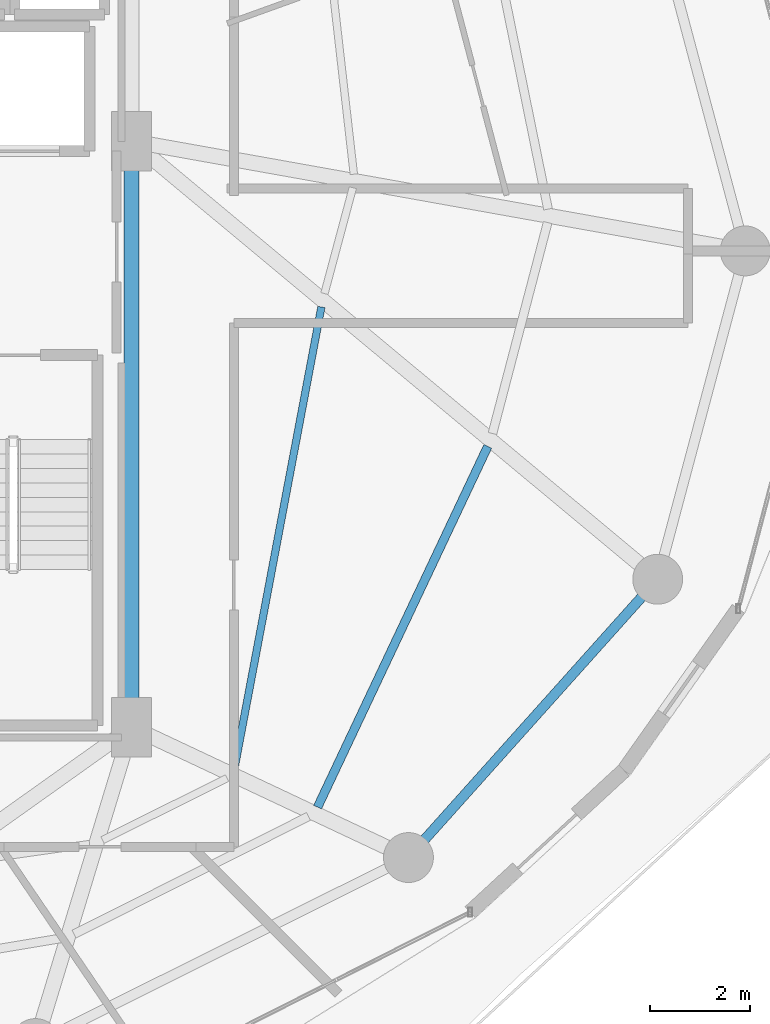
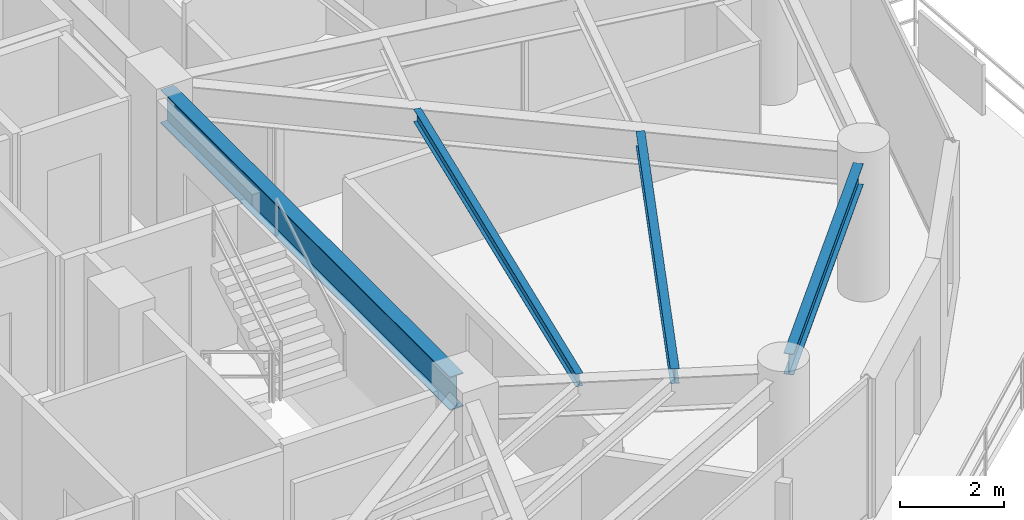
# One storey, part 13 of 31: 4 beams.
"""IFC4 building model written with IfcOpenShell, lengths in metres."""

from ifc_helpers import new_model, si_unit, direction, frame, origin, origin_2d, place, context, subcontext, project, spatial, i_section, extrude, material, material_profile, profile_set, type_object, element, save


model = new_model("IFC4")

# Units and contexts
model_context = context("Model", 3, precision=1e-05, world=origin(), true_north=direction((0.0, 1.0)))
body_context = subcontext(model_context, "Body", "Model", "MODEL_VIEW")
ifc_project = project(units=[si_unit("LENGTHUNIT", "METRE"), si_unit("AREAUNIT", "SQUARE_METRE"), si_unit("VOLUMEUNIT", "CUBIC_METRE"), si_unit("PLANEANGLEUNIT", "RADIAN"), si_unit("MASSUNIT", "GRAM", prefix="KILO")], contexts=[model_context])

# Site, building, storey
site_placement = place(None, origin())
site = spatial("IfcSite", under=ifc_project, at=site_placement, CompositionType="ELEMENT")
building_placement = place(site_placement, origin())
building = spatial("IfcBuilding", under=site, at=building_placement, Name="Vorneva Point Tower", CompositionType="ELEMENT")
storey_placement = place(building_placement, frame((0.0, 0.0, 136.10009765625)))
storey = spatial("IfcBuildingStorey", under=building, at=storey_placement, Name="L36", CompositionType="ELEMENT", Elevation=136.10009765625)

# Beams
ifc_material = material(Name="Steel S355", Category="steel")
ifc_material_profile_1 = material_profile(ifc_material, i_section(OverallWidth=0.300048828125, OverallDepth=0.7880859375, WebThickness=0.014404296875, FlangeThickness=0.02197265625, at=origin_2d()), Name="80Sh1")
ifc_profile_set_1 = profile_set([ifc_material_profile_1], Name="Steel S355")
beam_type_1 = type_object("IfcBeamType", Name="BM-GRD-80Sh1", PredefinedType="USERDEFINED", material=ifc_profile_set_1)
beam_1_placement = place(storey_placement, frame((48.75, 16.77001953125, 2.845947265625), z_axis=(0.0, 1.0, 0.0), x_axis=(-1.0, 0.0, 0.0)))
element("IfcBeam", 1, at=beam_1_placement, inside=storey, type_object=beam_type_1, Name="L36 Core Tie Girder CT3", ObjectType="GIRDER", PredefinedType="USERDEFINED", context=body_context, shape_type="SweptSolid", body=[
    extrude(i_section(OverallWidth=0.300048828125, OverallDepth=0.7880859375, WebThickness=0.014404296875, FlangeThickness=0.02197265625, at=origin_2d()), origin(), (0.0, 0.0, 1.0), 11.10986328125),
])
ifc_material_profile_2 = material_profile(ifc_material, i_section(OverallWidth=0.14892578125, OverallDepth=0.298095703125, WebThickness=0.005615234375, FlangeThickness=0.008056640625, at=origin_2d()), Name="30B1")
ifc_profile_set_2 = profile_set([ifc_material_profile_2], Name="Steel S355")
beam_type_2 = type_object("IfcBeamType", Name="BM-JST-30B1", PredefinedType="JOIST", material=ifc_profile_set_2)
beam_2_placement = place(storey_placement, frame((50.81103515625, 15.62744140625, 3.0908203125), z_axis=(0.185093544859, 0.982720906286, 0.0), x_axis=(-0.982720906286, 0.185093544859, 0.0)))
element("IfcBeam", 2, at=beam_2_placement, inside=storey, type_object=beam_type_2, Name="L36 Secondary Floor Beam 2.15", PredefinedType="JOIST", context=body_context, shape_type="SweptSolid", body=[
    extrude(i_section(OverallWidth=0.14892578125, OverallDepth=0.298095703125, WebThickness=0.005615234375, FlangeThickness=0.008056640625, at=origin_2d()), origin(), (0.0, 0.0, 1.0), 9.4111328125),
])
ifc_material_profile_3 = material_profile(ifc_material, i_section(OverallWidth=0.174072265625, OverallDepth=0.345947265625, WebThickness=0.006103515625, FlangeThickness=0.009033203125, at=origin_2d()), Name="35B1")
ifc_profile_set_3 = profile_set([ifc_material_profile_3], Name="Steel S355")
beam_type_3 = type_object("IfcBeamType", Name="BM-SEC-35B1", PredefinedType="BEAM", material=ifc_profile_set_3)
beam_3_placement = place(storey_placement, frame((52.476318359375, 14.848388671875, 3.06689453125), z_axis=(0.426717146128, 0.904385137649, 0.0), x_axis=(-0.904385137649, 0.426717146128, 0.0)))
element("IfcBeam", 3, at=beam_3_placement, inside=storey, type_object=beam_type_3, Name="L36 Secondary Floor Beam 1.15", PredefinedType="BEAM", context=body_context, shape_type="SweptSolid", body=[
    extrude(i_section(OverallWidth=0.174072265625, OverallDepth=0.345947265625, WebThickness=0.006103515625, FlangeThickness=0.009033203125, at=origin_2d()), origin(), (0.0, 0.0, 1.0), 7.997314453125),
])
ifc_material_profile_4 = material_profile(ifc_material, i_section(OverallWidth=0.199951171875, OverallDepth=0.491943359375, WebThickness=0.0087890625, FlangeThickness=0.011962890625, at=origin_2d()), Name="50B1")
ifc_profile_set_4 = profile_set([ifc_material_profile_4], Name="Steel S355")
beam_type_4 = type_object("IfcBeamType", Name="BM-SPN-50B1", PredefinedType="SPANDREL", material=ifc_profile_set_4)
beam_4_placement = place(storey_placement, frame((54.622314453125, 14.19921875, 2.993896484375), z_axis=(0.667111118975, 0.74495822362, 0.0), x_axis=(-0.74495822362, 0.667111118975, 0.0)))
element("IfcBeam", 4, at=beam_4_placement, inside=storey, type_object=beam_type_4, Name="L36 Perimeter Spandrel Ring Beam 15", PredefinedType="SPANDREL", context=body_context, shape_type="SweptSolid", body=[
    extrude(i_section(OverallWidth=0.199951171875, OverallDepth=0.491943359375, WebThickness=0.0087890625, FlangeThickness=0.011962890625, at=origin_2d()), origin(), (0.0, 0.0, 1.0), 6.52001953125),
])

save(model, "model.ifc")
